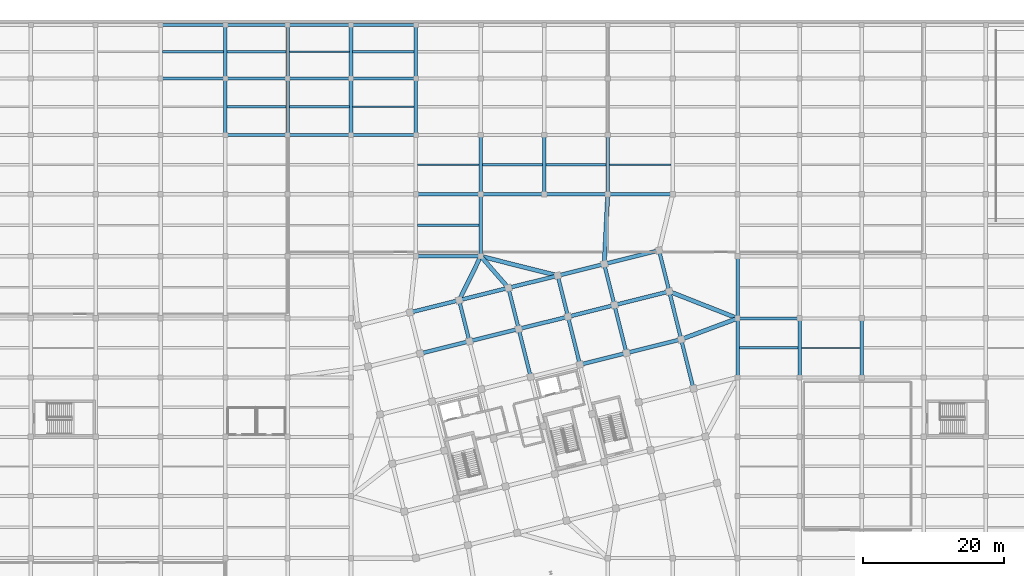
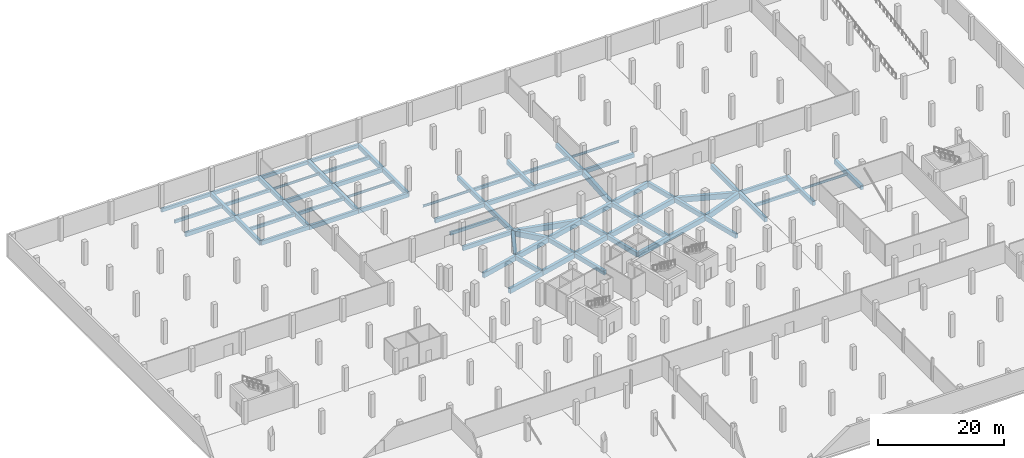
# One storey, part 13 of 31: 75 beams.
"""IFC4 building model written with IfcOpenShell, lengths in metres."""

from ifc_helpers import new_model, si_unit, direction, frame, origin, origin_2d, place, context, subcontext, project, spatial, rectangle, i_section, extrude, material, material_profile, profile_set, type_object, element, save


model = new_model("IFC4")

# Units and contexts
model_context = context("Model", 3, precision=1e-05, world=origin(), true_north=direction((0.0, 1.0)))
body_context = subcontext(model_context, "Body", "Model", "MODEL_VIEW")
ifc_project = project(units=[si_unit("LENGTHUNIT", "METRE"), si_unit("AREAUNIT", "SQUARE_METRE"), si_unit("VOLUMEUNIT", "CUBIC_METRE"), si_unit("PLANEANGLEUNIT", "RADIAN"), si_unit("MASSUNIT", "GRAM", prefix="KILO")], contexts=[model_context])

# Site, building, storey
site_placement = place(None, origin())
site = spatial("IfcSite", under=ifc_project, at=site_placement, CompositionType="ELEMENT")
building_placement = place(site_placement, origin())
building = spatial("IfcBuilding", under=site, at=building_placement, Name="Meriwether Solvik Hall", CompositionType="ELEMENT")
storey_placement = place(building_placement, frame((0.0, 0.0, -4.5)))
storey = spatial("IfcBuildingStorey", under=building, at=storey_placement, Name="B01", CompositionType="ELEMENT", Elevation=-4.5)

# Beams
ifc_material_1 = material(Name="Concrete C40/50", Category="concrete")
ifc_material_profile_1 = material_profile(ifc_material_1, rectangle(XDim=0.35009765625, YDim=0.60009765625, at=origin_2d()), Name="RCB-350X600")
ifc_profile_set_1 = profile_set([ifc_material_profile_1], Name="Concrete C40/50")
beam_type_1 = type_object("IfcBeamType", Name="BM-RC-350X600", PredefinedType="JOIST", material=ifc_profile_set_1)
beam_1_placement = place(storey_placement, frame((32.64501953125, 113.0, -0.6298828125), z_axis=(1.0, 0.0, 0.0), x_axis=(0.0, 1.0, 0.0)))
element("IfcBeam", 1, at=beam_1_placement, inside=storey, type_object=beam_type_1, Name="Secondary Floor Joist 4/M (B01)", PredefinedType="JOIST", context=body_context, shape_type="SweptSolid", body=[
    extrude(rectangle(XDim=0.35009765625, YDim=0.60009765625, at=origin_2d()), origin(), (0.0, 0.0, 1.0), 8.7099609375),
])
for number, where, z_axis, x_axis, name in (
    (2, (41.844970703125, 105.199951171875, -0.6298828125), (1.0, 0.0, 0.0), (0.0, 1.0, 0.0), "Secondary Floor Joist 5/L (B01)"),
    (3, (41.844970703125, 113.0, -0.6298828125), (1.0, 0.0, 0.0), (0.0, 1.0, 0.0), "Secondary Floor Joist 5/M (B01)"),
):
    element("IfcBeam", number, at=place(storey_placement, frame(where, z_axis=z_axis, x_axis=x_axis)), inside=storey, type_object=beam_type_1, Name=name, PredefinedType="JOIST", context=body_context, shape_type="SweptSolid", body=[
        extrude(rectangle(XDim=0.35009765625, YDim=0.60009765625, at=origin_2d()), origin(), (0.0, 0.0, 1.0), 8.31005859375),
    ])
beam_2_placement = place(storey_placement, frame((50.64501953125, 105.199951171875, -0.699951171875), z_axis=(1.0, 0.0, 0.0), x_axis=(0.0, 1.0, 0.0)))
element("IfcBeam", 4, at=beam_2_placement, inside=storey, type_object=beam_type_1, Name="Secondary Floor Joist 6/L (B01)", PredefinedType="JOIST", context=body_context, shape_type="SweptSolid", body=[
    extrude(rectangle(XDim=0.35009765625, YDim=0.60009765625, at=origin_2d()), origin(), (0.0, 0.0, 1.0), 8.510009765625),
])
for number, where, z_axis, x_axis, name in (
    (5, (59.64501953125, 113.0, -0.699951171875), (1.0, 0.0, 0.0), (0.0, 1.0, 0.0), "Secondary Floor Joist 7/M (B01)"),
    (6, (68.844970703125, 88.39990234375, -0.699951171875), (1.0, 0.0, 0.0), (0.0, 1.0, 0.0), "Secondary Floor Joist 8/J (B01)"),
):
    element("IfcBeam", number, at=place(storey_placement, frame(where, z_axis=z_axis, x_axis=x_axis)), inside=storey, type_object=beam_type_1, Name=name, PredefinedType="JOIST", context=body_context, shape_type="SweptSolid", body=[
        extrude(rectangle(XDim=0.35009765625, YDim=0.60009765625, at=origin_2d()), origin(), (0.0, 0.0, 1.0), 8.7099609375),
    ])
for number, where, z_axis, x_axis, name in (
    (7, (78.044921875, 97.0, -0.699951171875), (1.0, 0.0, 0.0), (0.0, 1.0, 0.0), "Secondary Floor Joist 9/K (B01)"),
    (8, (87.044921875, 97.0, -0.699951171875), (1.0, 0.0, 0.0), (0.0, 1.0, 0.0), "Secondary Floor Joist 10/K (B01)"),
):
    element("IfcBeam", number, at=place(storey_placement, frame(where, z_axis=z_axis, x_axis=x_axis)), inside=storey, type_object=beam_type_1, Name=name, PredefinedType="JOIST", context=body_context, shape_type="SweptSolid", body=[
        extrude(rectangle(XDim=0.35009765625, YDim=0.60009765625, at=origin_2d()), origin(), (0.0, 0.0, 1.0), 8.510009765625),
    ])
beam_3_placement = place(storey_placement, frame((114.445068359375, 71.0, -0.699951171875), z_axis=(1.0, 0.0, 0.0), x_axis=(0.0, 1.0, 0.0)))
element("IfcBeam", 9, at=beam_3_placement, inside=storey, type_object=beam_type_1, Name="Secondary Floor Joist 13/H (B01)", PredefinedType="JOIST", context=body_context, shape_type="SweptSolid", body=[
    extrude(rectangle(XDim=0.35009765625, YDim=0.60009765625, at=origin_2d()), origin(), (0.0, 0.0, 1.0), 8.309814453125),
])
ifc_material_2 = material(Name="Concrete C40/50", Category="concrete")
ifc_material_profile_2 = material_profile(ifc_material_2, rectangle(XDim=0.39990234375, YDim=0.64990234375, at=origin_2d()), Name="RCB-400X650")
ifc_profile_set_2 = profile_set([ifc_material_profile_2], Name="Concrete C40/50")
beam_type_2 = type_object("IfcBeamType", Name="BM-RC-400X650", PredefinedType="SPANDREL", material=ifc_profile_set_2)
beam_4_placement = place(storey_placement, frame((32.39990234375, 116.800048828125, -0.655029296875), z_axis=(1.0, 0.0, 0.0), x_axis=(0.0, 1.0, 0.0)))
element("IfcBeam", 10, at=beam_4_placement, inside=storey, type_object=beam_type_2, Name="Podium Girder N:4-5 (B01)", PredefinedType="SPANDREL", context=body_context, shape_type="SweptSolid", body=[
    extrude(rectangle(XDim=0.39990234375, YDim=0.64990234375, at=origin_2d()), origin(), (0.0, 0.0, 1.0), 9.2001953125),
])
beam_5_placement = place(storey_placement, frame((41.60009765625, 116.800048828125, -0.655029296875), z_axis=(1.0, 0.0, 0.0), x_axis=(0.0, 1.0, 0.0)))
element("IfcBeam", 11, at=beam_5_placement, inside=storey, type_object=beam_type_2, Name="Podium Girder N:5-6 (B01)", PredefinedType="SPANDREL", context=body_context, shape_type="SweptSolid", body=[
    extrude(rectangle(XDim=0.39990234375, YDim=0.64990234375, at=origin_2d()), origin(), (0.0, 0.0, 1.0), 8.7998046875),
])
beam_6_placement = place(storey_placement, frame((50.39990234375, 116.800048828125, -0.72509765625), z_axis=(1.0, 0.0, 0.0), x_axis=(0.0, 1.0, 0.0)))
element("IfcBeam", 12, at=beam_6_placement, inside=storey, type_object=beam_type_2, Name="Podium Girder N:6-7 (B01)", PredefinedType="SPANDREL", context=body_context, shape_type="SweptSolid", body=[
    extrude(rectangle(XDim=0.39990234375, YDim=0.64990234375, at=origin_2d()), origin(), (0.0, 0.0, 1.0), 9.0),
])
beam_7_placement = place(storey_placement, frame((59.39990234375, 116.800048828125, -0.72509765625), z_axis=(1.0, 0.0, 0.0), x_axis=(0.0, 1.0, 0.0)))
element("IfcBeam", 13, at=beam_7_placement, inside=storey, type_object=beam_type_2, Name="Podium Girder N:7-8 (B01)", PredefinedType="SPANDREL", context=body_context, shape_type="SweptSolid", body=[
    extrude(rectangle(XDim=0.39990234375, YDim=0.64990234375, at=origin_2d()), origin(), (0.0, 0.0, 1.0), 9.2001953125),
])
ifc_material_3 = material(Name="Concrete C40/50", Category="concrete")
ifc_material_profile_3 = material_profile(ifc_material_3, rectangle(XDim=0.449951171875, YDim=0.800048828125, at=origin_2d()), Name="RCB-450X800")
ifc_profile_set_3 = profile_set([ifc_material_profile_3], Name="Concrete C40/50")
beam_type_3 = type_object("IfcBeamType", Name="BM-RC-450X800", PredefinedType="BEAM", material=ifc_profile_set_3)
beam_8_placement = place(storey_placement, frame((114.199951171875, 75.199951171875, -0.800048828125), z_axis=(1.0, 0.0, 0.0), x_axis=(0.0, 1.0, 0.0)))
element("IfcBeam", 14, at=beam_8_placement, inside=storey, type_object=beam_type_3, Name="Podium Girder I:13-14 (B01)", PredefinedType="BEAM", context=body_context, shape_type="SweptSolid", body=[
    extrude(rectangle(XDim=0.449951171875, YDim=0.800048828125, at=origin_2d()), origin(), (0.0, 0.0, 1.0), 8.800048828125),
])
for number, where, z_axis, x_axis, name in (
    (15, (68.60009765625, 84.0, -0.800048828125), (1.0, 0.0, 0.0), (0.0, 1.0, 0.0), "Podium Girder J:8-9 (B01)"),
    (16, (68.60009765625, 92.800048828125, -0.800048828125), (1.0, 0.0, 0.0), (0.0, 1.0, 0.0), "Podium Girder K:8-9 (B01)"),
):
    element("IfcBeam", number, at=place(storey_placement, frame(where, z_axis=z_axis, x_axis=x_axis)), inside=storey, type_object=beam_type_3, Name=name, PredefinedType="BEAM", context=body_context, shape_type="SweptSolid", body=[
        extrude(rectangle(XDim=0.449951171875, YDim=0.800048828125, at=origin_2d()), origin(), (0.0, 0.0, 1.0), 9.199951171875),
    ])
for number, where, z_axis, x_axis, name in (
    (17, (77.800048828125, 92.800048828125, -0.800048828125), (1.0, 0.0, 0.0), (0.0, 1.0, 0.0), "Podium Girder K:9-10 (B01)"),
    (18, (86.800048828125, 92.800048828125, -0.800048828125), (1.0, 0.0, 0.0), (0.0, 1.0, 0.0), "Podium Girder K:10-11 (B01)"),
):
    element("IfcBeam", number, at=place(storey_placement, frame(where, z_axis=z_axis, x_axis=x_axis)), inside=storey, type_object=beam_type_3, Name=name, PredefinedType="BEAM", context=body_context, shape_type="SweptSolid", body=[
        extrude(rectangle(XDim=0.449951171875, YDim=0.800048828125, at=origin_2d()), origin(), (0.0, 0.0, 1.0), 9.0),
    ])
beam_9_placement = place(storey_placement, frame((95.800048828125, 92.800048828125, -0.800048828125), z_axis=(1.0, 0.0, 0.0), x_axis=(0.0, 1.0, 0.0)))
element("IfcBeam", 19, at=beam_9_placement, inside=storey, type_object=beam_type_3, Name="Podium Girder K:11-12 (B01)", PredefinedType="BEAM", context=body_context, shape_type="SweptSolid", body=[
    extrude(rectangle(XDim=0.449951171875, YDim=0.800048828125, at=origin_2d()), origin(), (0.0, 0.0, 1.0), 9.199951171875),
])
beam_10_placement = place(storey_placement, frame((41.60009765625, 101.199951171875, -0.72998046875), z_axis=(1.0, 0.0, 0.0), x_axis=(0.0, 1.0, 0.0)))
element("IfcBeam", 20, at=beam_10_placement, inside=storey, type_object=beam_type_3, Name="Podium Girder L:5-6 (B01)", PredefinedType="BEAM", context=body_context, shape_type="SweptSolid", body=[
    extrude(rectangle(XDim=0.449951171875, YDim=0.800048828125, at=origin_2d()), origin(), (0.0, 0.0, 1.0), 8.7998046875),
])
beam_11_placement = place(storey_placement, frame((50.39990234375, 101.199951171875, -0.800048828125), z_axis=(1.0, 0.0, 0.0), x_axis=(0.0, 1.0, 0.0)))
element("IfcBeam", 21, at=beam_11_placement, inside=storey, type_object=beam_type_3, Name="Podium Girder L:6-7 (B01)", PredefinedType="BEAM", context=body_context, shape_type="SweptSolid", body=[
    extrude(rectangle(XDim=0.449951171875, YDim=0.800048828125, at=origin_2d()), origin(), (0.0, 0.0, 1.0), 9.0),
])
for number, where, z_axis, x_axis, name in (
    (22, (59.39990234375, 101.199951171875, -0.800048828125), (1.0, 0.0, 0.0), (0.0, 1.0, 0.0), "Podium Girder L:7-8 (B01)"),
    (23, (32.39990234375, 109.199951171875, -0.72998046875), (1.0, 0.0, 0.0), (0.0, 1.0, 0.0), "Podium Girder M:4-5 (B01)"),
):
    element("IfcBeam", number, at=place(storey_placement, frame(where, z_axis=z_axis, x_axis=x_axis)), inside=storey, type_object=beam_type_3, Name=name, PredefinedType="BEAM", context=body_context, shape_type="SweptSolid", body=[
        extrude(rectangle(XDim=0.449951171875, YDim=0.800048828125, at=origin_2d()), origin(), (0.0, 0.0, 1.0), 9.2001953125),
    ])
beam_12_placement = place(storey_placement, frame((41.60009765625, 109.199951171875, -0.72998046875), z_axis=(1.0, 0.0, 0.0), x_axis=(0.0, 1.0, 0.0)))
element("IfcBeam", 24, at=beam_12_placement, inside=storey, type_object=beam_type_3, Name="Podium Girder M:5-6 (B01)", PredefinedType="BEAM", context=body_context, shape_type="SweptSolid", body=[
    extrude(rectangle(XDim=0.449951171875, YDim=0.800048828125, at=origin_2d()), origin(), (0.0, 0.0, 1.0), 8.7998046875),
])
beam_13_placement = place(storey_placement, frame((50.39990234375, 109.199951171875, -0.800048828125), z_axis=(1.0, 0.0, 0.0), x_axis=(0.0, 1.0, 0.0)))
element("IfcBeam", 25, at=beam_13_placement, inside=storey, type_object=beam_type_3, Name="Podium Girder M:6-7 (B01)", PredefinedType="BEAM", context=body_context, shape_type="SweptSolid", body=[
    extrude(rectangle(XDim=0.449951171875, YDim=0.800048828125, at=origin_2d()), origin(), (0.0, 0.0, 1.0), 9.0),
])
beam_14_placement = place(storey_placement, frame((59.39990234375, 109.199951171875, -0.800048828125), z_axis=(1.0, 0.0, 0.0), x_axis=(0.0, 1.0, 0.0)))
element("IfcBeam", 26, at=beam_14_placement, inside=storey, type_object=beam_type_3, Name="Podium Girder M:7-8 (B01)", PredefinedType="BEAM", context=body_context, shape_type="SweptSolid", body=[
    extrude(rectangle(XDim=0.449951171875, YDim=0.800048828125, at=origin_2d()), origin(), (0.0, 0.0, 1.0), 9.2001953125),
])
ifc_material_4 = material(Name="Concrete C40/50", Category="concrete")
ifc_material_profile_4 = material_profile(ifc_material_4, rectangle(XDim=0.5, YDim=0.85009765625, at=origin_2d()), Name="RCB-500X850")
ifc_profile_set_4 = profile_set([ifc_material_profile_4], Name="Concrete C40/50")
beam_type_4 = type_object("IfcBeamType", Name="BM-RC-500X850", PredefinedType="BEAM", material=ifc_profile_set_4)
beam_15_placement = place(storey_placement, frame((41.60009765625, 101.199951171875, -0.7548828125), z_axis=(0.0, 1.0, 0.0), x_axis=(-1.0, 0.0, 0.0)))
element("IfcBeam", 27, at=beam_15_placement, inside=storey, type_object=beam_type_4, Name="Podium Girder 5:L-M (B01)", PredefinedType="BEAM", context=body_context, shape_type="SweptSolid", body=[
    extrude(rectangle(XDim=0.5, YDim=0.85009765625, at=origin_2d()), origin(), (0.0, 0.0, 1.0), 8.0),
])
beam_16_placement = place(storey_placement, frame((41.60009765625, 109.199951171875, -0.7548828125), z_axis=(0.0, 1.0, 0.0), x_axis=(-1.0, 0.0, 0.0)))
element("IfcBeam", 28, at=beam_16_placement, inside=storey, type_object=beam_type_4, Name="Podium Girder 5:M-N (B01)", PredefinedType="BEAM", context=body_context, shape_type="SweptSolid", body=[
    extrude(rectangle(XDim=0.5, YDim=0.85009765625, at=origin_2d()), origin(), (0.0, 0.0, 1.0), 7.60009765625),
])
beam_17_placement = place(storey_placement, frame((50.39990234375, 101.199951171875, -0.7548828125), z_axis=(0.0, 1.0, 0.0), x_axis=(-1.0, 0.0, 0.0)))
element("IfcBeam", 29, at=beam_17_placement, inside=storey, type_object=beam_type_4, Name="Podium Girder 6:L-M (B01)", PredefinedType="BEAM", context=body_context, shape_type="SweptSolid", body=[
    extrude(rectangle(XDim=0.5, YDim=0.85009765625, at=origin_2d()), origin(), (0.0, 0.0, 1.0), 8.0),
])
beam_18_placement = place(storey_placement, frame((50.39990234375, 109.199951171875, -0.7548828125), z_axis=(0.0, 1.0, 0.0), x_axis=(-1.0, 0.0, 0.0)))
element("IfcBeam", 30, at=beam_18_placement, inside=storey, type_object=beam_type_4, Name="Podium Girder 6:M-N (B01)", PredefinedType="BEAM", context=body_context, shape_type="SweptSolid", body=[
    extrude(rectangle(XDim=0.5, YDim=0.85009765625, at=origin_2d()), origin(), (0.0, 0.0, 1.0), 7.60009765625),
])
beam_19_placement = place(storey_placement, frame((59.39990234375, 101.199951171875, -0.824951171875), z_axis=(0.0, 1.0, 0.0), x_axis=(-1.0, 0.0, 0.0)))
element("IfcBeam", 31, at=beam_19_placement, inside=storey, type_object=beam_type_4, Name="Podium Girder 7:L-M (B01)", PredefinedType="BEAM", context=body_context, shape_type="SweptSolid", body=[
    extrude(rectangle(XDim=0.5, YDim=0.85009765625, at=origin_2d()), origin(), (0.0, 0.0, 1.0), 8.0),
])
beam_20_placement = place(storey_placement, frame((59.39990234375, 109.199951171875, -0.824951171875), z_axis=(0.0, 1.0, 0.0), x_axis=(-1.0, 0.0, 0.0)))
element("IfcBeam", 32, at=beam_20_placement, inside=storey, type_object=beam_type_4, Name="Podium Girder 7:M-N (B01)", PredefinedType="BEAM", context=body_context, shape_type="SweptSolid", body=[
    extrude(rectangle(XDim=0.5, YDim=0.85009765625, at=origin_2d()), origin(), (0.0, 0.0, 1.0), 7.60009765625),
])
beam_21_placement = place(storey_placement, frame((68.60009765625, 101.199951171875, -0.824951171875), z_axis=(0.0, 1.0, 0.0), x_axis=(-1.0, 0.0, 0.0)))
element("IfcBeam", 33, at=beam_21_placement, inside=storey, type_object=beam_type_4, Name="Podium Girder 8:L-M (B01)", PredefinedType="BEAM", context=body_context, shape_type="SweptSolid", body=[
    extrude(rectangle(XDim=0.5, YDim=0.85009765625, at=origin_2d()), origin(), (0.0, 0.0, 1.0), 8.0),
])
beam_22_placement = place(storey_placement, frame((68.60009765625, 109.199951171875, -0.824951171875), z_axis=(0.0, 1.0, 0.0), x_axis=(-1.0, 0.0, 0.0)))
element("IfcBeam", 34, at=beam_22_placement, inside=storey, type_object=beam_type_4, Name="Podium Girder 8:M-N (B01)", PredefinedType="BEAM", context=body_context, shape_type="SweptSolid", body=[
    extrude(rectangle(XDim=0.5, YDim=0.85009765625, at=origin_2d()), origin(), (0.0, 0.0, 1.0), 7.60009765625),
])
beam_23_placement = place(storey_placement, frame((77.800048828125, 84.0, -0.824951171875), z_axis=(0.0, 1.0, 0.0), x_axis=(-1.0, 0.0, 0.0)))
element("IfcBeam", 35, at=beam_23_placement, inside=storey, type_object=beam_type_4, Name="Podium Girder 9:J-K (B01)", PredefinedType="BEAM", context=body_context, shape_type="SweptSolid", body=[
    extrude(rectangle(XDim=0.5, YDim=0.85009765625, at=origin_2d()), origin(), (0.0, 0.0, 1.0), 8.800048828125),
])
for number, where, z_axis, x_axis, name in (
    (36, (77.800048828125, 92.800048828125, -0.824951171875), (0.0, 1.0, 0.0), (-1.0, 0.0, 0.0), "Podium Girder 9:K-L (B01)"),
    (37, (86.800048828125, 92.800048828125, -0.824951171875), (0.0, 1.0, 0.0), (-1.0, 0.0, 0.0), "Podium Girder 10:K-L (B01)"),
    (38, (95.800048828125, 92.800048828125, -0.824951171875), (0.0, 1.0, 0.0), (-1.0, 0.0, 0.0), "Podium Girder 11:K-L (B01)"),
    (39, (114.199951171875, 66.800048828125, -0.824951171875), (0.0, 1.0, 0.0), (-1.0, 0.0, 0.0), "Podium Girder 13:H-I (B01)"),
):
    element("IfcBeam", number, at=place(storey_placement, frame(where, z_axis=z_axis, x_axis=x_axis)), inside=storey, type_object=beam_type_4, Name=name, PredefinedType="BEAM", context=body_context, shape_type="SweptSolid", body=[
        extrude(rectangle(XDim=0.5, YDim=0.85009765625, at=origin_2d()), origin(), (0.0, 0.0, 1.0), 8.39990234375),
    ])
beam_24_placement = place(storey_placement, frame((114.199951171875, 75.199951171875, -0.824951171875), z_axis=(0.0, 1.0, 0.0), x_axis=(-1.0, 0.0, 0.0)))
element("IfcBeam", 40, at=beam_24_placement, inside=storey, type_object=beam_type_4, Name="Podium Girder 13:I-J (B01)", PredefinedType="BEAM", context=body_context, shape_type="SweptSolid", body=[
    extrude(rectangle(XDim=0.5, YDim=0.85009765625, at=origin_2d()), origin(), (0.0, 0.0, 1.0), 8.800048828125),
])
for number, where, z_axis, x_axis, name in (
    (41, (123.0, 66.800048828125, -0.7548828125), (0.0, 1.0, 0.0), (-1.0, 0.0, 0.0), "Podium Girder 14:H-I (B01)"),
    (42, (131.800048828125, 66.800048828125, -0.7548828125), (0.0, 1.0, 0.0), (-1.0, 0.0, 0.0), "Podium Girder 15:H-I (B01)"),
):
    element("IfcBeam", number, at=place(storey_placement, frame(where, z_axis=z_axis, x_axis=x_axis)), inside=storey, type_object=beam_type_4, Name=name, PredefinedType="BEAM", context=body_context, shape_type="SweptSolid", body=[
        extrude(rectangle(XDim=0.5, YDim=0.85009765625, at=origin_2d()), origin(), (0.0, 0.0, 1.0), 8.39990234375),
    ])
beam_25_placement = place(storey_placement, frame((76.1865234375, 71.94873046875, -0.824951171875), z_axis=(-0.241903677572, 0.970300268359, 0.0), x_axis=(-0.970300268359, -0.241903677572, 0.0)))
element("IfcBeam", 43, at=beam_25_placement, inside=storey, type_object=beam_type_4, Name="Tower Girder T3:TE-TF (B01)", PredefinedType="BEAM", context=body_context, shape_type="SweptSolid", body=[
    extrude(rectangle(XDim=0.5, YDim=0.85009765625, at=origin_2d()), origin(), (0.0, 0.0, 1.0), 6.0),
])
beam_26_placement = place(storey_placement, frame((84.8662109375, 66.8984375, -0.824951171875), z_axis=(-0.241936527961, 0.970292077901, 0.0), x_axis=(-0.970292077901, -0.241936527961, 0.0)))
element("IfcBeam", 44, at=beam_26_placement, inside=storey, type_object=beam_type_4, Name="Tower Girder T4:TD-TE (B01)", PredefinedType="BEAM", context=body_context, shape_type="SweptSolid", body=[
    extrude(rectangle(XDim=0.5, YDim=0.85009765625, at=origin_2d()), origin(), (0.0, 0.0, 1.0), 7.000244140625),
])
beam_27_placement = place(storey_placement, frame((83.172607421875, 73.690673828125, -0.824951171875), z_axis=(-0.241903677572, 0.970300268359, 0.0), x_axis=(-0.970300268359, -0.241903677572, 0.0)))
element("IfcBeam", 45, at=beam_27_placement, inside=storey, type_object=beam_type_4, Name="Tower Girder T4:TE-TF (B01)", PredefinedType="BEAM", context=body_context, shape_type="SweptSolid", body=[
    extrude(rectangle(XDim=0.5, YDim=0.85009765625, at=origin_2d()), origin(), (0.0, 0.0, 1.0), 6.0),
])
beam_28_placement = place(storey_placement, frame((91.852294921875, 68.640380859375, -0.824951171875), z_axis=(-0.241911879182, 0.970298223594, 0.0), x_axis=(-0.970298223594, -0.241911879182, 0.0)))
element("IfcBeam", 46, at=beam_28_placement, inside=storey, type_object=beam_type_4, Name="Tower Girder T5:TD-TE (B01)", PredefinedType="BEAM", context=body_context, shape_type="SweptSolid", body=[
    extrude(rectangle(XDim=0.5, YDim=0.85009765625, at=origin_2d()), origin(), (0.0, 0.0, 1.0), 7.0),
])
beam_29_placement = place(storey_placement, frame((90.158935546875, 75.432373046875, -0.824951171875), z_axis=(-0.241941986192, 0.970290716908, 0.0), x_axis=(-0.970290716908, -0.241941986192, 0.0)))
element("IfcBeam", 47, at=beam_29_placement, inside=storey, type_object=beam_type_4, Name="Tower Girder T5:TE-TF (B01)", PredefinedType="BEAM", context=body_context, shape_type="SweptSolid", body=[
    extrude(rectangle(XDim=0.5, YDim=0.85009765625, at=origin_2d()), origin(), (0.0, 0.0, 1.0), 6.0),
])
beam_30_placement = place(storey_placement, frame((98.4501953125, 70.285400390625, -0.824951171875), z_axis=(-0.241911879182, 0.970298223594, 0.0), x_axis=(-0.970298223594, -0.241911879182, 0.0)))
element("IfcBeam", 48, at=beam_30_placement, inside=storey, type_object=beam_type_4, Name="Tower Girder T6:TD-TE (B01)", PredefinedType="BEAM", context=body_context, shape_type="SweptSolid", body=[
    extrude(rectangle(XDim=0.5, YDim=0.85009765625, at=origin_2d()), origin(), (0.0, 0.0, 1.0), 7.0),
])
beam_31_placement = place(storey_placement, frame((96.7568359375, 77.077392578125, -0.824951171875), z_axis=(-0.241903677572, 0.970300268359, 0.0), x_axis=(-0.970300268359, -0.241903677572, 0.0)))
element("IfcBeam", 49, at=beam_31_placement, inside=storey, type_object=beam_type_4, Name="Tower Girder T6:TE-TF (B01)", PredefinedType="BEAM", context=body_context, shape_type="SweptSolid", body=[
    extrude(rectangle(XDim=0.5, YDim=0.85009765625, at=origin_2d()), origin(), (0.0, 0.0, 1.0), 6.0),
])
beam_32_placement = place(storey_placement, frame((107.95458984375, 65.234619140625, -0.824951171875), z_axis=(-0.241937193493, 0.970291911955, 0.0), x_axis=(-0.970291911955, -0.241937193493, 0.0)))
element("IfcBeam", 50, at=beam_32_placement, inside=storey, type_object=beam_type_4, Name="Tower Girder T7:TC-TD (B01)", PredefinedType="BEAM", context=body_context, shape_type="SweptSolid", body=[
    extrude(rectangle(XDim=0.5, YDim=0.85009765625, at=origin_2d()), origin(), (0.0, 0.0, 1.0), 7.199951171875),
])
beam_33_placement = place(storey_placement, frame((106.212646484375, 72.220703125, -0.824951171875), z_axis=(-0.241903692719, 0.970300264582, 0.0), x_axis=(-0.970300264582, -0.241903692719, 0.0)))
element("IfcBeam", 51, at=beam_33_placement, inside=storey, type_object=beam_type_4, Name="Tower Girder T7:TD-TE (B01)", PredefinedType="BEAM", context=body_context, shape_type="SweptSolid", body=[
    extrude(rectangle(XDim=0.5, YDim=0.85009765625, at=origin_2d()), origin(), (0.0, 0.0, 1.0), 7.000244140625),
])
beam_34_placement = place(storey_placement, frame((104.519287109375, 79.012939453125, -0.824951171875), z_axis=(-0.241941986192, 0.970290716908, 0.0), x_axis=(-0.970290716908, -0.241941986192, 0.0)))
element("IfcBeam", 52, at=beam_34_placement, inside=storey, type_object=beam_type_4, Name="Tower Girder T7:TE-TF (B01)", PredefinedType="BEAM", context=body_context, shape_type="SweptSolid", body=[
    extrude(rectangle(XDim=0.5, YDim=0.85009765625, at=origin_2d()), origin(), (0.0, 0.0, 1.0), 6.0),
])
ifc_material_5 = material(Name="Concrete C40/50", Category="concrete")
ifc_material_profile_5 = material_profile(ifc_material_5, rectangle(XDim=0.550048828125, YDim=0.949951171875, at=origin_2d()), Name="RCB-550X950")
ifc_profile_set_5 = profile_set([ifc_material_profile_5], Name="Concrete C40/50")
beam_type_5 = type_object("IfcBeamType", Name="BM-RC-550X950", PredefinedType="BEAM", material=ifc_profile_set_5)
beam_35_placement = place(storey_placement, frame((91.852294921875, 68.640380859375, -0.875), z_axis=(0.970296478685, 0.241918877831, 0.0), x_axis=(-0.241918877831, 0.970296478685, 0.0)))
element("IfcBeam", 53, at=beam_35_placement, inside=storey, type_object=beam_type_5, Name="Tower Girder TD:T5-T6 (B01)", PredefinedType="BEAM", context=body_context, shape_type="SweptSolid", body=[
    extrude(rectangle(XDim=0.550048828125, YDim=0.949951171875, at=origin_2d()), origin(), (0.0, 0.0, 1.0), 6.7998046875),
])
beam_36_placement = place(storey_placement, frame((98.4501953125, 70.285400390625, -0.875), z_axis=(0.970298475929, 0.241910867076, 0.0), x_axis=(-0.241910867076, 0.970298475929, 0.0)))
element("IfcBeam", 54, at=beam_36_placement, inside=storey, type_object=beam_type_5, Name="Tower Girder TD:T6-T7 (B01)", PredefinedType="BEAM", context=body_context, shape_type="SweptSolid", body=[
    extrude(rectangle(XDim=0.550048828125, YDim=0.949951171875, at=origin_2d()), origin(), (0.0, 0.0, 1.0), 8.0),
])
for number, where, z_axis, x_axis, name in (
    (55, (69.200439453125, 70.206787109375, -0.875), (0.970291911955, 0.241937193493, 0.0), (-0.241937193493, 0.970291911955, 0.0), "Tower Girder TE:T2-T3 (B01)"),
    (56, (76.1865234375, 71.94873046875, -0.875), (0.970291911955, 0.241937193493, 0.0), (-0.241937193493, 0.970291911955, 0.0), "Tower Girder TE:T3-T4 (B01)"),
):
    element("IfcBeam", number, at=place(storey_placement, frame(where, z_axis=z_axis, x_axis=x_axis)), inside=storey, type_object=beam_type_5, Name=name, PredefinedType="BEAM", context=body_context, shape_type="SweptSolid", body=[
        extrude(rectangle(XDim=0.550048828125, YDim=0.949951171875, at=origin_2d()), origin(), (0.0, 0.0, 1.0), 7.199951171875),
    ])
beam_37_placement = place(storey_placement, frame((83.172607421875, 73.690673828125, -0.875), z_axis=(0.970301855688, 0.241897310542, 0.0), x_axis=(-0.241897310542, 0.970301855688, 0.0)))
element("IfcBeam", 57, at=beam_37_placement, inside=storey, type_object=beam_type_5, Name="Tower Girder TE:T4-T5 (B01)", PredefinedType="BEAM", context=body_context, shape_type="SweptSolid", body=[
    extrude(rectangle(XDim=0.550048828125, YDim=0.949951171875, at=origin_2d()), origin(), (0.0, 0.0, 1.0), 7.2001953125),
])
beam_38_placement = place(storey_placement, frame((90.158935546875, 75.432373046875, -0.875), z_axis=(0.970296478685, 0.241918877831, 0.0), x_axis=(-0.241918877831, 0.970296478685, 0.0)))
element("IfcBeam", 58, at=beam_38_placement, inside=storey, type_object=beam_type_5, Name="Tower Girder TE:T5-T6 (B01)", PredefinedType="BEAM", context=body_context, shape_type="SweptSolid", body=[
    extrude(rectangle(XDim=0.550048828125, YDim=0.949951171875, at=origin_2d()), origin(), (0.0, 0.0, 1.0), 6.7998046875),
])
beam_39_placement = place(storey_placement, frame((96.7568359375, 77.077392578125, -0.875), z_axis=(0.970291312354, 0.241939598187, 0.0), x_axis=(-0.241939598187, 0.970291312354, 0.0)))
element("IfcBeam", 59, at=beam_39_placement, inside=storey, type_object=beam_type_5, Name="Tower Girder TE:T6-T7 (B01)", PredefinedType="BEAM", context=body_context, shape_type="SweptSolid", body=[
    extrude(rectangle(XDim=0.550048828125, YDim=0.949951171875, at=origin_2d()), origin(), (0.0, 0.0, 1.0), 8.000244140625),
])
for number, where, z_axis, x_axis, name in (
    (60, (67.7490234375, 76.028564453125, -0.875), (0.970291911955, 0.241937193493, 0.0), (-0.241937193493, 0.970291911955, 0.0), "Tower Girder TF:T2-T3 (B01)"),
    (61, (74.735107421875, 77.7705078125, -0.875), (0.970291911955, 0.241937193493, 0.0), (-0.241937193493, 0.970291911955, 0.0), "Tower Girder TF:T3-T4 (B01)"),
    (62, (81.72119140625, 79.512451171875, -0.875), (0.970299871507, 0.241905269381, 0.0), (-0.241905269381, 0.970299871507, 0.0), "Tower Girder TF:T4-T5 (B01)"),
):
    element("IfcBeam", number, at=place(storey_placement, frame(where, z_axis=z_axis, x_axis=x_axis)), inside=storey, type_object=beam_type_5, Name=name, PredefinedType="BEAM", context=body_context, shape_type="SweptSolid", body=[
        extrude(rectangle(XDim=0.550048828125, YDim=0.949951171875, at=origin_2d()), origin(), (0.0, 0.0, 1.0), 7.199951171875),
    ])
beam_40_placement = place(storey_placement, frame((88.707275390625, 81.254150390625, -0.875), z_axis=(0.970298579828, 0.24191045034, 0.0), x_axis=(-0.24191045034, 0.970298579828, 0.0)))
element("IfcBeam", 63, at=beam_40_placement, inside=storey, type_object=beam_type_5, Name="Tower Girder TF:T5-T6 (B01)", PredefinedType="BEAM", context=body_context, shape_type="SweptSolid", body=[
    extrude(rectangle(XDim=0.550048828125, YDim=0.949951171875, at=origin_2d()), origin(), (0.0, 0.0, 1.0), 6.800048828125),
])
beam_41_placement = place(storey_placement, frame((95.305419921875, 82.899169921875, -0.875), z_axis=(0.970289525963, 0.24194676234, 0.0), x_axis=(-0.24194676234, 0.970289525963, 0.0)))
element("IfcBeam", 64, at=beam_41_placement, inside=storey, type_object=beam_type_5, Name="Tower Girder TF:T6-T7 (B01)", PredefinedType="BEAM", context=body_context, shape_type="SweptSolid", body=[
    extrude(rectangle(XDim=0.550048828125, YDim=0.949951171875, at=origin_2d()), origin(), (0.0, 0.0, 1.0), 8.0),
])
ifc_material_6 = material(Name="Concrete C40/50", Category="concrete")
ifc_material_profile_6 = material_profile(ifc_material_6, rectangle(XDim=0.60009765625, YDim=1.050048828125, at=origin_2d()), Name="RCB-600X1050")
ifc_profile_set_6 = profile_set([ifc_material_profile_6], Name="Concrete C40/50")
beam_type_6 = type_object("IfcBeamType", Name="BM-RC-600X1050", PredefinedType="BEAM", material=ifc_profile_set_6)
beam_42_placement = place(storey_placement, frame((74.735107421875, 77.7705078125, -0.925048828125), z_axis=(0.44146540955, 0.897278269084, 0.0), x_axis=(-0.897278269084, 0.44146540955, 0.0)))
element("IfcBeam", 65, at=beam_42_placement, inside=storey, type_object=beam_type_6, Name="Diaphragm Collector Girder T3/TF-9/J (B01)", PredefinedType="BEAM", context=body_context, shape_type="SweptSolid", body=[
    extrude(rectangle(XDim=0.60009765625, YDim=1.050048828125, at=origin_2d()), origin(), (0.0, 0.0, 1.0), 6.942626953125),
])
beam_43_placement = place(storey_placement, frame((81.72119140625, 79.512451171875, -0.925048828125), z_axis=(-0.657985282871, 0.7530307879, 0.0), x_axis=(-0.7530307879, -0.657985282871, 0.0)))
element("IfcBeam", 66, at=beam_43_placement, inside=storey, type_object=beam_type_6, Name="Diaphragm Collector Girder T4/TF-9/J (B01)", PredefinedType="BEAM", context=body_context, shape_type="SweptSolid", body=[
    extrude(rectangle(XDim=0.60009765625, YDim=1.050048828125, at=origin_2d()), origin(), (0.0, 0.0, 1.0), 5.959228515625),
])
beam_44_placement = place(storey_placement, frame((88.707275390625, 81.254150390625, -0.925048828125), z_axis=(-0.969742820247, 0.244128782776, 0.0), x_axis=(-0.244128782776, -0.969742820247, 0.0)))
element("IfcBeam", 67, at=beam_44_placement, inside=storey, type_object=beam_type_6, Name="Diaphragm Collector Girder T5/TF-9/J (B01)", PredefinedType="BEAM", context=body_context, shape_type="SweptSolid", body=[
    extrude(rectangle(XDim=0.60009765625, YDim=1.050048828125, at=origin_2d()), origin(), (0.0, 0.0, 1.0), 11.24755859375),
])
beam_45_placement = place(storey_placement, frame((95.305419921875, 82.899169921875, -0.925048828125), z_axis=(0.049895854105, 0.998754426144, 0.0), x_axis=(-0.998754426144, 0.049895854105, 0.0)))
element("IfcBeam", 68, at=beam_45_placement, inside=storey, type_object=beam_type_6, Name="Diaphragm Collector Girder T6/TF-11/K (B01)", PredefinedType="BEAM", context=body_context, shape_type="SweptSolid", body=[
    extrude(rectangle(XDim=0.60009765625, YDim=1.050048828125, at=origin_2d()), origin(), (0.0, 0.0, 1.0), 9.913330078125),
])
beam_46_placement = place(storey_placement, frame((106.212646484375, 72.220703125, -0.925048828125), z_axis=(0.93694444662, 0.349478331156, 0.0), x_axis=(-0.349478331156, 0.93694444662, 0.0)))
element("IfcBeam", 69, at=beam_46_placement, inside=storey, type_object=beam_type_6, Name="Diaphragm Collector Girder T7/TD-13/I (B01)", PredefinedType="BEAM", context=body_context, shape_type="SweptSolid", body=[
    extrude(rectangle(XDim=0.60009765625, YDim=1.050048828125, at=origin_2d()), origin(), (0.0, 0.0, 1.0), 8.52490234375),
])
beam_47_placement = place(storey_placement, frame((104.519287109375, 79.012939453125, -0.925048828125), z_axis=(0.930428275018, -0.366474044165, 0.0), x_axis=(0.366474044165, 0.930428275018, 0.0)))
element("IfcBeam", 70, at=beam_47_placement, inside=storey, type_object=beam_type_6, Name="Diaphragm Collector Girder T7/TE-13/I (B01)", PredefinedType="BEAM", context=body_context, shape_type="SweptSolid", body=[
    extrude(rectangle(XDim=0.60009765625, YDim=1.050048828125, at=origin_2d()), origin(), (0.0, 0.0, 1.0), 10.404541015625),
])
ifc_material_7 = material(Name="Steel A992 Grade 50", Category="steel")
ifc_material_profile_7 = material_profile(ifc_material_7, i_section(OverallWidth=0.19091796875, OverallDepth=0.45703125, WebThickness=0.009033203125, FlangeThickness=0.014404296875, at=origin_2d()), Name="W18X50")
ifc_profile_set_7 = profile_set([ifc_material_profile_7], Name="Steel A992 Grade 50")
beam_type_7 = type_object("IfcBeamType", Name="BM-STL-W18X50", PredefinedType="JOIST", material=ifc_profile_set_7)
beam_48_placement = place(storey_placement, frame((50.64501953125, 113.0, -0.62841796875), z_axis=(1.0, 0.0, 0.0), x_axis=(0.0, 1.0, 0.0)))
element("IfcBeam", 71, at=beam_48_placement, inside=storey, type_object=beam_type_7, Name="Secondary Floor Joist 6/M (B01)", PredefinedType="JOIST", context=body_context, shape_type="SweptSolid", body=[
    extrude(i_section(OverallWidth=0.19091796875, OverallDepth=0.45703125, WebThickness=0.009033203125, FlangeThickness=0.014404296875, at=origin_2d()), origin(), (0.0, 0.0, 1.0), 8.510009765625),
])
for number, where, z_axis, x_axis, name in (
    (72, (59.64501953125, 105.199951171875, -0.62841796875), (1.0, 0.0, 0.0), (0.0, 1.0, 0.0), "Secondary Floor Joist 7/L (B01)"),
    (73, (68.844970703125, 97.0, -0.62841796875), (1.0, 0.0, 0.0), (0.0, 1.0, 0.0), "Secondary Floor Joist 8/K (B01)"),
    (74, (96.044921875, 97.0, -0.62841796875), (1.0, 0.0, 0.0), (0.0, 1.0, 0.0), "Secondary Floor Joist 11/K (B01)"),
):
    element("IfcBeam", number, at=place(storey_placement, frame(where, z_axis=z_axis, x_axis=x_axis)), inside=storey, type_object=beam_type_7, Name=name, PredefinedType="JOIST", context=body_context, shape_type="SweptSolid", body=[
        extrude(i_section(OverallWidth=0.19091796875, OverallDepth=0.45703125, WebThickness=0.009033203125, FlangeThickness=0.014404296875, at=origin_2d()), origin(), (0.0, 0.0, 1.0), 8.7099609375),
    ])
beam_49_placement = place(storey_placement, frame((123.2451171875, 71.0, -0.55859375), z_axis=(1.0, 0.0, 0.0), x_axis=(0.0, 1.0, 0.0)))
element("IfcBeam", 75, at=beam_49_placement, inside=storey, type_object=beam_type_7, Name="Secondary Floor Joist 14/H (B01)", PredefinedType="JOIST", context=body_context, shape_type="SweptSolid", body=[
    extrude(i_section(OverallWidth=0.19091796875, OverallDepth=0.45703125, WebThickness=0.009033203125, FlangeThickness=0.014404296875, at=origin_2d()), origin(), (0.0, 0.0, 1.0), 8.309814453125),
])

save(model, "model.ifc")
